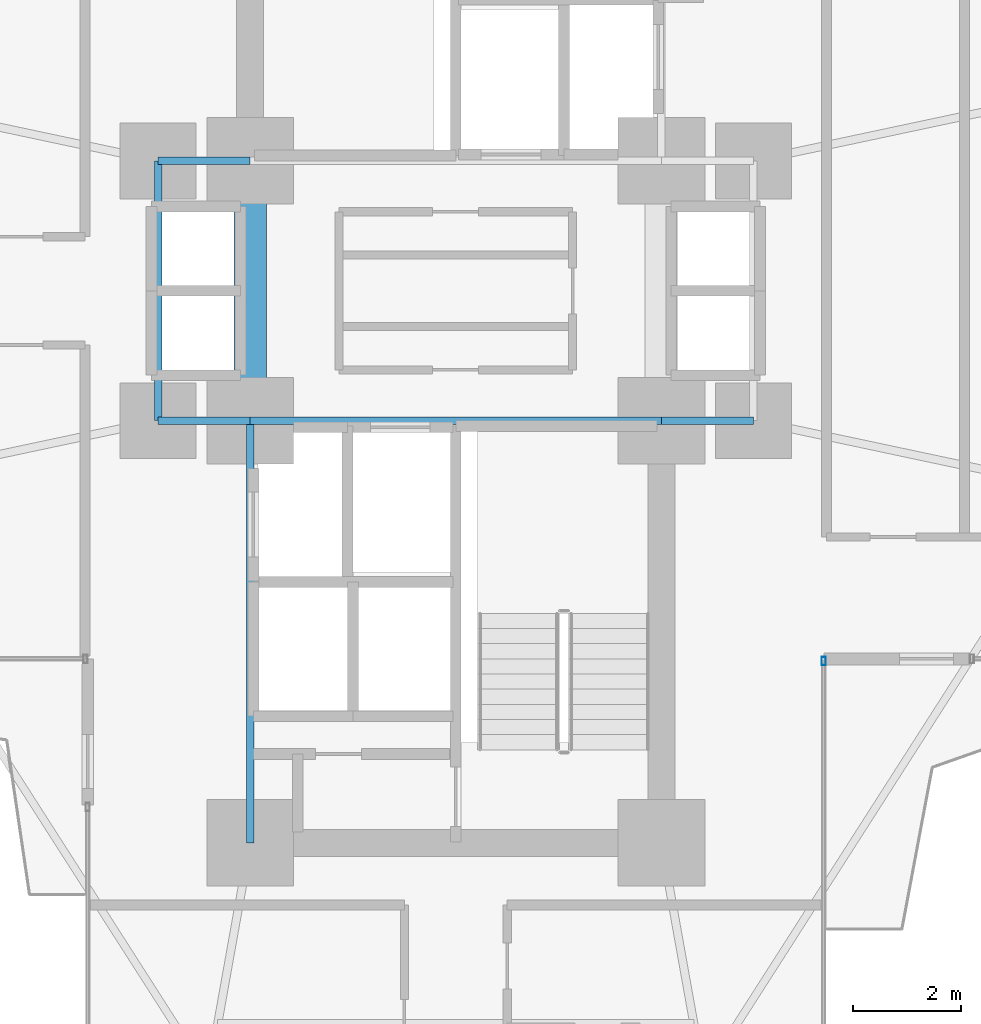
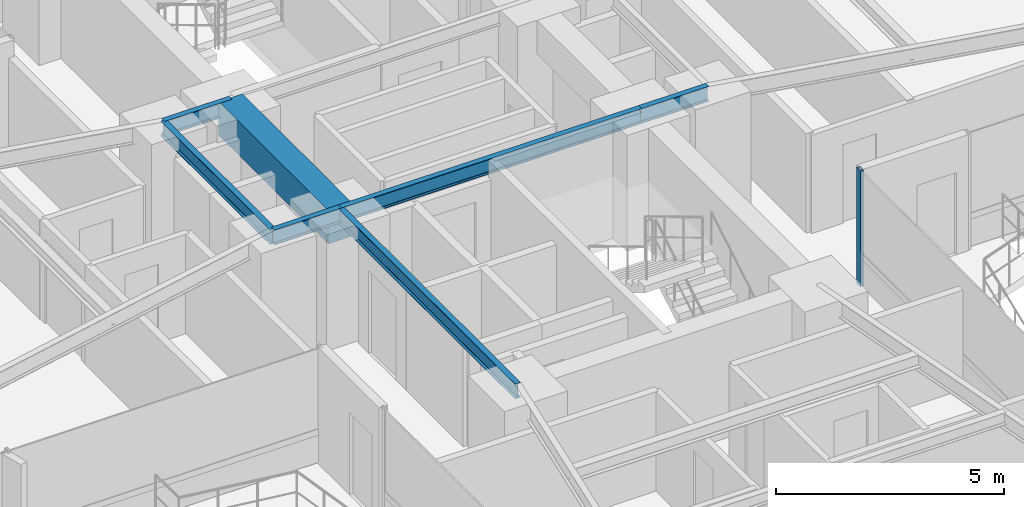
# One storey, part 11 of 25: 7 beams, 1 member, 1 element without a shape of its own.
"""IFC4 building model written with IfcOpenShell, lengths in metres."""

from ifc_helpers import new_model, si_unit, direction, frame, origin, origin_2d, place, context, subcontext, project, spatial, rectangle, hollow_rectangle, i_section, extrude, source, transform, mapped, material, material_profile, profile_set, type_object, element, aggregate, save


model = new_model("IFC4")

# Units and contexts
model_context = context("Model", 3, precision=1e-05, world=origin(), true_north=direction((0.0, 1.0)))
body_context = subcontext(model_context, "Body", "Model", "MODEL_VIEW")
ifc_project = project(units=[si_unit("LENGTHUNIT", "METRE"), si_unit("AREAUNIT", "SQUARE_METRE"), si_unit("VOLUMEUNIT", "CUBIC_METRE"), si_unit("PLANEANGLEUNIT", "RADIAN"), si_unit("MASSUNIT", "GRAM", prefix="KILO")], contexts=[model_context])

# Site, building, storey
site_placement = place(None, origin())
site = spatial("IfcSite", under=ifc_project, at=site_placement, CompositionType="ELEMENT")
building_placement = place(site_placement, origin())
building = spatial("IfcBuilding", under=site, at=building_placement, Name="Sahyath Konkavel Grand Hotel", CompositionType="ELEMENT")
storey_placement = place(building_placement, frame((0.0, 0.0, 39.85009765625)))
storey = spatial("IfcBuildingStorey", under=building, at=storey_placement, Name="L10", CompositionType="ELEMENT", Elevation=39.85009765625)

# Beams
ifc_material_1 = material(Name="Concrete C70/85", Category="concrete")
ifc_material_profile_1 = material_profile(ifc_material_1, rectangle(XDim=0.60009765625, YDim=0.89990234375, at=origin_2d()), Name="RC 600x900")
ifc_profile_set_1 = profile_set([ifc_material_profile_1], Name="Concrete C70/85")
beam_type_1 = type_object("IfcBeamType", Name="BM-CB600x900", PredefinedType="LINTEL", material=ifc_profile_set_1)
shared_shape_1 = source(origin(), body_context, "Body", "SweptSolid", [
    extrude(rectangle(XDim=0.60009765625, YDim=0.89990234375, at=origin_2d()), origin(), (0.0, 0.0, 1.0), 4.7998046875),
])
beam_1_placement = place(storey_placement, frame((-3.800048828125, -2.39990234375, 2.659912109375), z_axis=(0.0, 1.0, 0.0), x_axis=(-1.0, 0.0, 0.0)))
element("IfcBeam", 1, at=beam_1_placement, inside=storey, type_object=beam_type_1, Name="L10 Split-Core Coupling Beam West", PredefinedType="LINTEL", context=body_context, shape_type="MappedRepresentation", body=[
    mapped(shared_shape_1, transform((0.0, 0.0, 0.0), scale=1.0)),
])
ifc_material_2 = material(Name="Steel E350", Category="steel")
ifc_material_profile_2 = material_profile(ifc_material_2, i_section(OverallWidth=0.139892578125, OverallDepth=0.39990234375, WebThickness=0.0087890625, FlangeThickness=0.01611328125, FilletRadius=0.013916015625, at=origin_2d()), Name="ISMB 400")
ifc_profile_set_2 = profile_set([ifc_material_profile_2], Name="Steel E350")
beam_type_2 = type_object("IfcBeamType", Name="BM-ISMB400", PredefinedType="BEAM", material=ifc_profile_set_2)
shared_shape_2 = source(origin(), body_context, "Body", "SweptSolid", [
    extrude(i_section(OverallWidth=0.139892578125, OverallDepth=0.39990234375, WebThickness=0.0087890625, FlangeThickness=0.01611328125, FilletRadius=0.013916015625, at=origin_2d()), origin(), (0.0, 0.0, 1.0), 7.60009765625),
])
beam_2_placement = place(storey_placement, frame((-3.800048828125, -2.39990234375, 2.909912109375), z_axis=(1.0, 0.0, 0.0), x_axis=(0.0, 1.0, 0.0)))
element("IfcBeam", 2, at=beam_2_placement, inside=storey, type_object=beam_type_2, Name="str:bm:L10:SC-N", PredefinedType="BEAM", context=body_context, shape_type="MappedRepresentation", body=[
    mapped(shared_shape_2, transform((0.0, 0.0, 0.0), scale=1.0)),
])
shared_shape_3 = source(origin(), body_context, "Body", "SweptSolid", [
    extrude(i_section(OverallWidth=0.139892578125, OverallDepth=0.39990234375, WebThickness=0.0087890625, FlangeThickness=0.01611328125, FilletRadius=0.013916015625, at=origin_2d()), origin(), (0.0, 0.0, 1.0), 7.800048828125),
])
beam_3_placement = place(storey_placement, frame((-3.800048828125, -10.199951171875, 2.909912109375), z_axis=(0.0, 1.0, 0.0), x_axis=(-1.0, 0.0, 0.0)))
element("IfcBeam", 3, at=beam_3_placement, inside=storey, type_object=beam_type_2, Name="str:bm:L10:SC-W", PredefinedType="BEAM", context=body_context, shape_type="MappedRepresentation", body=[
    mapped(shared_shape_3, transform((0.0, 0.0, 0.0), scale=1.0)),
])
shared_shape_4 = source(origin(), body_context, "Body", "SweptSolid", [
    extrude(i_section(OverallWidth=0.139892578125, OverallDepth=0.39990234375, WebThickness=0.0087890625, FlangeThickness=0.01611328125, FilletRadius=0.013916015625, at=origin_2d()), origin(), (0.0, 0.0, 1.0), 1.699951171875),
])
for number, where, z_axis, x_axis, name in (
    (4, (-5.5, 2.39990234375, 2.909912109375), (1.0, 0.0, 0.0), (0.0, 1.0, 0.0), "str:bm:L10:HB-NW"),
    (5, (-5.5, -2.39990234375, 2.909912109375), (1.0, 0.0, 0.0), (0.0, 1.0, 0.0), "str:bm:L10:HB-SW"),
    (6, (3.800048828125, -2.39990234375, 2.909912109375), (1.0, 0.0, 0.0), (0.0, 1.0, 0.0), "str:bm:L10:HB-SE"),
):
    element("IfcBeam", number, at=place(storey_placement, frame(where, z_axis=z_axis, x_axis=x_axis)), inside=storey, type_object=beam_type_2, Name=name, PredefinedType="BEAM", context=body_context, shape_type="MappedRepresentation", body=[
        mapped(shared_shape_4, transform((0.0, 0.0, 0.0), scale=1.0)),
    ])
shared_shape_5 = source(origin(), body_context, "Body", "SweptSolid", [
    extrude(i_section(OverallWidth=0.139892578125, OverallDepth=0.39990234375, WebThickness=0.0087890625, FlangeThickness=0.01611328125, FilletRadius=0.013916015625, at=origin_2d()), origin(), (0.0, 0.0, 1.0), 4.7998046875),
])
beam_4_placement = place(storey_placement, frame((-5.5, -2.39990234375, 2.909912109375), z_axis=(0.0, 1.0, 0.0), x_axis=(-1.0, 0.0, 0.0)))
element("IfcBeam", 7, at=beam_4_placement, inside=storey, type_object=beam_type_2, Name="str:bm:L10:HB-W", PredefinedType="BEAM", context=body_context, shape_type="MappedRepresentation", body=[
    mapped(shared_shape_5, transform((0.0, 0.0, 0.0), scale=1.0)),
])

# Curtain wall, member
ifc_material_3 = material(Name="Anodised Bronze Aluminium & Low-E Glazing", Category="aluminium")
curtain_wall_type = type_object("IfcCurtainWallType", Name="CW-ZONE1", PredefinedType="NOTDEFINED", material=ifc_material_3)
curtain_wall_placement = place(storey_placement, origin())
curtain_wall = element("IfcCurtainWall", 8, at=curtain_wall_placement, inside=storey, type_object=curtain_wall_type, Name="L10 Unitised Curtain Wall F31", PredefinedType="NOTDEFINED")
ifc_material_4 = material(Name="Anodised Bronze Aluminium", Category="aluminium")
ifc_material_profile_3 = material_profile(ifc_material_4, hollow_rectangle(XDim=0.080078125, YDim=0.159912109375, WallThickness=0.006103515625, at=origin_2d()), Name="RHS 160x80x6")
ifc_profile_set_3 = profile_set([ifc_material_profile_3], Name="Anodised Bronze Aluminium")
member_type = type_object("IfcMemberType", Name="CW-MUL-160", PredefinedType="MULLION", material=ifc_profile_set_3)
shared_shape_6 = source(origin(), body_context, "Body", "SweptSolid", [
    extrude(hollow_rectangle(XDim=0.080078125, YDim=0.159912109375, WallThickness=0.006103515625, at=origin_2d()), origin(), (0.0, 0.0, 1.0), 3.10986328125),
])
member_placement = place(storey_placement, frame((6.800048828125, -6.840087890625, 0.0), z_axis=(0.0, 0.0, 1.0), x_axis=(1.0, 0.0, 0.0)))
member = element("IfcMember", 9, at=member_placement, type_object=member_type, Name="L10 Curtain Wall Mullion F31-2", PredefinedType="MULLION", context=body_context, shape_type="MappedRepresentation", body=[
    mapped(shared_shape_6, transform((0.0, 0.0, 0.0), scale=1.0)),
])
aggregate(curtain_wall, [member])

save(model, "model.ifc")
